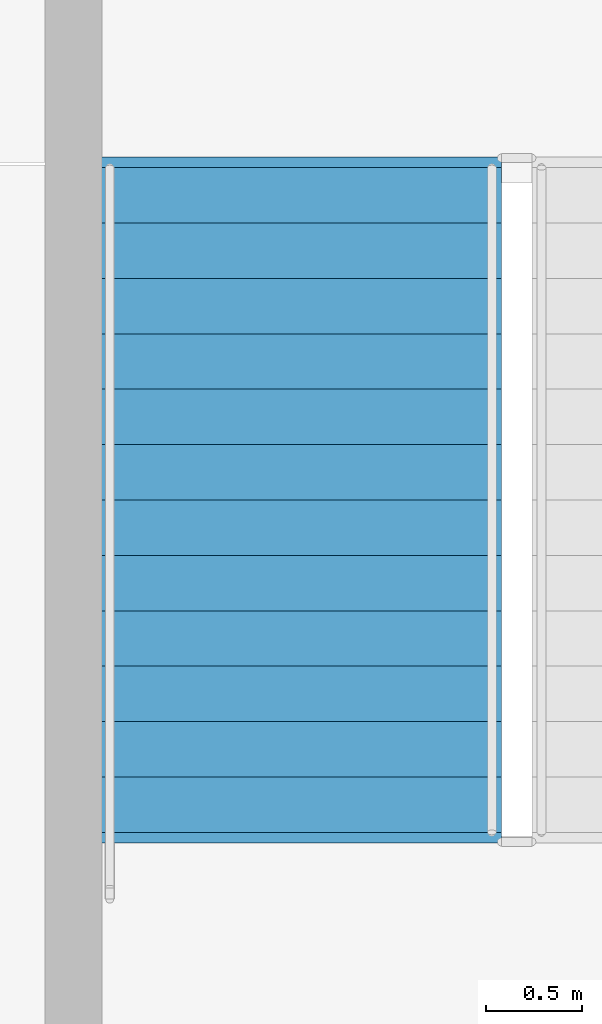
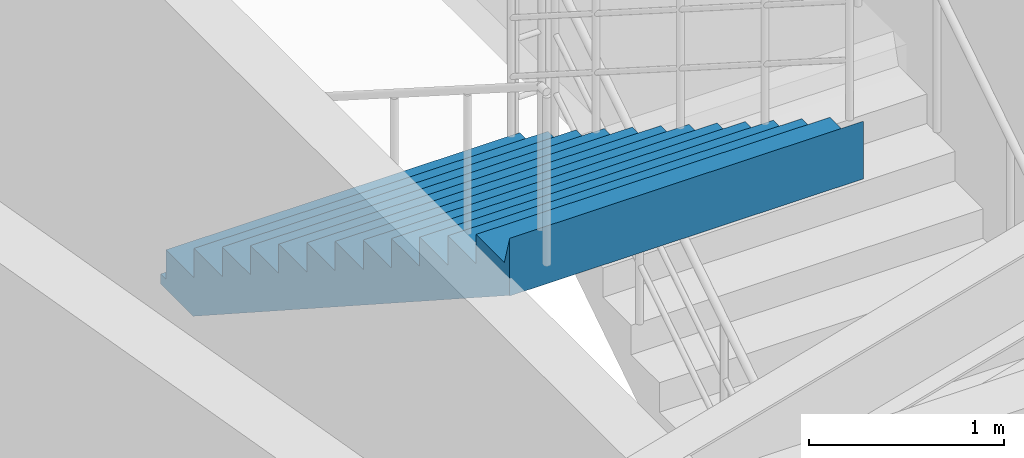
# One storey, part 118 of 144: 1 stair flight, 1 element without a shape of its own.
"""IFC4 building model written with IfcOpenShell, lengths in metres."""

import ifcopenshell
import ifcopenshell.guid

model = None  # the IFC model being written
_history = None  # IfcOwnerHistory: only IFC2X3 demands one
_inside = {}  # id of a spatial element -> (the spatial element, [elements in it])
_under = {}  # id of a project, library or spatial element -> (it, [spatial elements below it])
_declared = {}  # id of a project -> (the project, [libraries it declares])
_typed = {}  # id of a type object -> (the type object, [elements of that type])
_made_of = {}  # id of a material, layer set ... -> (it, [elements and type objects made of it])


def new_model(schema):
    """Start an empty IFC model of exactly this schema.

    Asked for "IFC4X3", IfcOpenShell would pick the latest addendum, in which some entities
    have other attributes; the version numbers below select the first issue.
    IFC2X3 requires an IfcOwnerHistory on every rooted entity: one is made here for all.
    """
    global model, _history
    if schema == "IFC4X3":
        model = ifcopenshell.file(schema_version=(4, 3, 0, 0))
    else:
        model = ifcopenshell.file(schema=schema)
    _inside.clear()
    _under.clear()
    _declared.clear()
    _typed.clear()
    _made_of.clear()
    _history = None
    if model.schema == "IFC2X3":
        org = make("IfcOrganization", Name="unknown")
        user = make(
            "IfcPersonAndOrganization",
            ThePerson=make("IfcPerson", FamilyName="unknown"),
            TheOrganization=org,
        )
        app = make(
            "IfcApplication",
            ApplicationDeveloper=org,
            Version="unknown",
            ApplicationFullName="unknown",
            ApplicationIdentifier="unknown",
        )
        _history = make(
            "IfcOwnerHistory",
            OwningUser=user,
            OwningApplication=app,
            ChangeAction="ADDED",
            CreationDate=0,
        )
    return model


def make(cls, **values):
    """One entity of the class cls with the attributes given. An attribute that is None is left unset."""
    return model.create_entity(
        cls, **{name: value for name, value in values.items() if value is not None}
    )


def rooted(cls, **values):
    """An entity with a GlobalId (a new one), such as an element, a storey or a relation."""
    return make(cls, GlobalId=ifcopenshell.guid.new(), OwnerHistory=_history, **values)


def si_unit(unit_type, name, prefix=None):
    """IfcSIUnit, for example si_unit("LENGTHUNIT", "METRE", prefix="MILLI")."""
    return make("IfcSIUnit", UnitType=unit_type, Prefix=prefix, Name=name)


def assignment(units):
    """IfcUnitAssignment: the units of a project."""
    return None if units is None else make("IfcUnitAssignment", Units=units)


def point(xyz):
    """IfcCartesianPoint."""
    return None if xyz is None else make("IfcCartesianPoint", Coordinates=xyz)


def direction(xyz):
    """IfcDirection."""
    return None if xyz is None else make("IfcDirection", DirectionRatios=xyz)


def frame(location, z_axis=None, x_axis=None):
    """IfcAxis2Placement3D, a coordinate frame: its origin and axes. An axis left out is left unset."""
    return make(
        "IfcAxis2Placement3D",
        Location=point(location),
        Axis=direction(z_axis),
        RefDirection=direction(x_axis),
    )


def origin():
    """The frame at (0, 0, 0) with its axes left unset."""
    return frame((0.0, 0.0, 0.0))


def place(relative_to, where):
    """IfcLocalPlacement: puts the frame where relative to a parent placement (None: the world)."""
    return make(
        "IfcLocalPlacement", PlacementRelTo=relative_to, RelativePlacement=where
    )


def context(
    kind, dimensions, precision=None, world=None, true_north=None, identifier=None
):
    """IfcGeometricRepresentationContext, for example the 3D "Model" context."""
    return make(
        "IfcGeometricRepresentationContext",
        ContextIdentifier=identifier,
        ContextType=kind,
        CoordinateSpaceDimension=dimensions,
        Precision=precision,
        WorldCoordinateSystem=world,
        TrueNorth=true_north,
    )


def subcontext(parent, identifier, kind, view, scale=None):
    """IfcGeometricRepresentationSubContext, for example "Body" below "Model"."""
    return make(
        "IfcGeometricRepresentationSubContext",
        ContextIdentifier=identifier,
        ContextType=kind,
        ParentContext=parent,
        TargetScale=scale,
        TargetView=view,
    )


def project(units=None, contexts=None):
    """IfcProject with its units and contexts."""
    return rooted(
        "IfcProject",
        Name="project",
        RepresentationContexts=contexts,
        UnitsInContext=assignment(units),
    )


def spatial(cls, under=None, at=None, **own):
    """A site, building, storey or space (cls), placed at a placement, below another one or the project."""
    s = rooted(cls, ObjectPlacement=at, **own)
    if under is not None:
        _under.setdefault(under.id(), (under, []))[1].append(s)
    return s


def polyline(points):
    """IfcPolyline through the points."""
    return make("IfcPolyline", Points=[point(p) for p in points])


def outline(outer, holes=None, kind="AREA"):
    """IfcArbitraryClosedProfileDef: a profile drawn as a closed curve; with holes, ...WithVoids."""
    if holes is None:
        return make("IfcArbitraryClosedProfileDef", ProfileType=kind, OuterCurve=outer)
    return make(
        "IfcArbitraryProfileDefWithVoids",
        ProfileType=kind,
        OuterCurve=outer,
        InnerCurves=holes,
    )


def extrude(swept, where, along, depth):
    """IfcExtrudedAreaSolid: the profile swept, set in the frame where, extruded along a direction by depth."""
    return make(
        "IfcExtrudedAreaSolid",
        SweptArea=swept,
        Position=where,
        ExtrudedDirection=direction(along),
        Depth=depth,
    )


def shape(context_of_items, identifier, shape_type, items):
    """IfcShapeRepresentation: the items that make up one representation, for example the "Body"."""
    return make(
        "IfcShapeRepresentation",
        ContextOfItems=context_of_items,
        RepresentationIdentifier=identifier,
        RepresentationType=shape_type,
        Items=items,
    )


def material(Name=None, Category=None):
    """IfcMaterial."""
    return make("IfcMaterial", Name=Name, Category=Category)


def made_of(thing, what):
    """Note that an element or type object is made of a material, layer set ...; save() writes the relation."""
    if what is not None:
        _made_of.setdefault(what.id(), (what, []))[1].append(thing)
    return thing


def type_object(cls, material=None, **own):
    """A type object (cls), such as IfcWallType, which elements share."""
    return made_of(rooted(cls, **own), material)


def element(
    cls,
    number,
    at=None,
    inside=None,
    cuts=None,
    type_object=None,
    material=None,
    context=None,
    identifier="Body",
    shape_type=None,
    held_by="IfcProductDefinitionShape",
    body=None,
    shapes=None,
    **own,
):
    """One element of the class cls, such as IfcWall. Its Tag is "e" and its number.

    at: its placement. inside: the storey or other place that contains it. cuts: it is an
    opening in that element (IfcRelVoidsElement). A single representation is given by context,
    identifier, shape_type and body (its items); several are given by shapes. held_by: the class
    of the entity that holds the representations. save() writes the other relations.
    """
    e = rooted(cls, Tag="e%d" % number, ObjectPlacement=at, **own)
    if body is not None:
        shapes = [shape(context, identifier, shape_type, body)]
    if shapes is not None:
        e.Representation = make(held_by, Representations=shapes)
    if inside is not None:
        _inside.setdefault(inside.id(), (inside, []))[1].append(e)
    if cuts is not None:
        rooted(
            "IfcRelVoidsElement", RelatingBuildingElement=cuts, RelatedOpeningElement=e
        )
    if type_object is not None:
        _typed.setdefault(type_object.id(), (type_object, []))[1].append(e)
    return made_of(e, material)


def aggregate(whole, parts):
    """IfcRelAggregates: a whole, such as a stair, and the parts it consists of."""
    return rooted("IfcRelAggregates", RelatingObject=whole, RelatedObjects=parts)


def save(model, path):
    """Write the relations noted so far, then the file.

    IfcRelAggregates (storeys below a building ...), IfcRelContainedInSpatialStructure (elements
    in a storey), IfcRelDefinesByType, IfcRelAssociatesMaterial and IfcRelDeclares: one each for
    every whole, place, type object, material and project.
    """
    for whole, parts in _under.values():
        aggregate(whole, parts)
    for where, things in _inside.values():
        rooted(
            "IfcRelContainedInSpatialStructure",
            RelatedElements=things,
            RelatingStructure=where,
        )
    for kind, things in _typed.values():
        rooted("IfcRelDefinesByType", RelatedObjects=things, RelatingType=kind)
    for what, things in _made_of.values():
        rooted("IfcRelAssociatesMaterial", RelatedObjects=things, RelatingMaterial=what)
    for by, libraries in _declared.values():
        rooted("IfcRelDeclares", RelatingContext=by, RelatedDefinitions=libraries)
    model.write(path)


model = new_model("IFC4")

# Units and contexts
model_context = context("Model", 3, precision=1e-05, world=origin(), true_north=direction((0.0, 1.0)))
body_context = subcontext(model_context, "Body", "Model", "MODEL_VIEW")
ifc_project = project(units=[si_unit("LENGTHUNIT", "METRE"), si_unit("AREAUNIT", "SQUARE_METRE"), si_unit("VOLUMEUNIT", "CUBIC_METRE"), si_unit("PLANEANGLEUNIT", "RADIAN"), si_unit("MASSUNIT", "GRAM", prefix="KILO")], contexts=[model_context])

# Site, building, storey
site_placement = place(None, origin())
site = spatial("IfcSite", under=ifc_project, at=site_placement, CompositionType="ELEMENT")
building_placement = place(site_placement, origin())
building = spatial("IfcBuilding", under=site, at=building_placement, Name="Cinderbank Siding Concert Hall", CompositionType="ELEMENT")
storey_placement = place(building_placement, frame((0.0, 0.0, 5.39990234375)))
storey = spatial("IfcBuildingStorey", under=building, at=storey_placement, Name="L02", CompositionType="ELEMENT", Elevation=5.39990234375)

# Stair, stair flight
ifc_material = material(Name="Reinforced concrete AS 3600 N50 (50 MPa)", Category="concrete")
stair_type = type_object("IfcStairType", Name="STR-D Dogleg Exit Stair 2100mm", PredefinedType="HALF_TURN_STAIR", material=ifc_material)
stair_placement = place(storey_placement, origin())
stair = element("IfcStair", 1, at=stair_placement, inside=storey, type_object=stair_type, Name="L02 West Drum Exit Stair ST-04", PredefinedType="HALF_TURN_STAIR")
stair_flight_type = type_object("IfcStairFlightType", Name="SFL-D Concrete Stair Flight 2100mm", PredefinedType="STRAIGHT", material=ifc_material)
stair_flight_placement = place(storey_placement, frame((98.590087890625, 43.97998046875, 2.400146484375), z_axis=(0.0, 0.0, 1.0), x_axis=(0.0, -1.0, 0.0)))
stair_flight = element("IfcStairFlight", 2, at=stair_flight_placement, type_object=stair_flight_type, Name="ST-04 flight 2", NumberOfRisers=13, NumberOfTreads=12, PredefinedType="STRAIGHT", RiserHeight=0.184615385, TreadLength=0.29, context=body_context, shape_type="SweptSolid", body=[
    extrude(outline(polyline([(0.0, 0.0), (0.0, 0.1845703125), (0.2900390625, 0.1845703125), (0.2900390625, 0.369140625), (0.580078125, 0.369140625), (0.580078125, 0.553955078125), (0.8701171875, 0.553955078125), (0.8701171875, 0.738525390625), (1.159912109375, 0.738525390625), (1.159912109375, 0.923095703125), (1.449951171875, 0.923095703125), (1.449951171875, 1.107666015625), (1.739990234375, 1.107666015625), (1.739990234375, 1.292236328125), (2.030029296875, 1.292236328125), (2.030029296875, 1.476806640625), (2.320068359375, 1.476806640625), (2.320068359375, 1.66162109375), (2.610107421875, 1.66162109375), (2.610107421875, 1.84619140625), (2.89990234375, 1.84619140625), (2.89990234375, 2.03076171875), (3.18994140625, 2.03076171875), (3.18994140625, 2.21533203125), (3.47998046875, 2.21533203125), (3.534912109375, 2.39990234375), (3.534912109375, 2.03759765625), (3.53466796875, 2.037841796875), (3.53466796875, 2.0380859375), (3.53466796875, 2.038330078125), (3.53466796875, 2.03857421875), (3.53466796875, 2.038818359375), (3.53466796875, 2.0390625), (3.53466796875, 2.039306640625), (3.53466796875, 2.03955078125), (3.53466796875, 2.039794921875), (3.53466796875, 2.0400390625), (3.53466796875, 2.040283203125), (3.53466796875, 2.04052734375), (3.534423828125, 2.04052734375), (3.534423828125, 2.040283203125), (3.534423828125, 2.0400390625), (3.534423828125, 2.039794921875), (3.534423828125, 2.03955078125), (3.534423828125, 2.039306640625), (3.534423828125, 2.0390625), (3.534423828125, 2.038818359375), (3.534423828125, 2.03857421875), (3.534423828125, 2.038330078125), (3.534423828125, 2.0380859375), (3.534423828125, 2.037841796875), (3.534423828125, 2.03759765625), (3.5341796875, 2.037841796875), (3.5341796875, 2.0380859375), (3.5341796875, 2.038330078125), (3.5341796875, 2.03857421875), (3.5341796875, 2.038818359375), (3.5341796875, 2.0390625), (3.5341796875, 2.039306640625), (3.5341796875, 2.03955078125), (3.5341796875, 2.039794921875), (3.5341796875, 2.0400390625), (3.5341796875, 2.040283203125), (3.5341796875, 2.04052734375), (3.533935546875, 2.04052734375), (3.533935546875, 2.040283203125), (3.533935546875, 2.0400390625), (3.533935546875, 2.039794921875), (3.533935546875, 2.03955078125), (3.533935546875, 2.039306640625), (3.533935546875, 2.0390625), (3.533935546875, 2.038818359375), (3.533935546875, 2.03857421875), (3.533935546875, 2.038330078125), (3.533935546875, 2.0380859375), (3.533935546875, 2.037841796875), (3.533935546875, 2.03759765625), (3.53369140625, 2.037841796875), (3.53369140625, 2.0380859375), (3.53369140625, 2.038330078125), (3.53369140625, 2.03857421875), (3.53369140625, 2.038818359375), (3.53369140625, 2.0390625), (3.53369140625, 2.039306640625), (3.53369140625, 2.03955078125), (3.53369140625, 2.039794921875), (3.53369140625, 2.0400390625), (3.53369140625, 2.040283203125), (3.53369140625, 2.04052734375), (3.533447265625, 2.04052734375), (3.533447265625, 2.040283203125), (3.533447265625, 2.0400390625), (3.533447265625, 2.039794921875), (3.533447265625, 2.03955078125), (3.533447265625, 2.039306640625), (3.533447265625, 2.0390625), (3.533447265625, 2.038818359375), (3.533447265625, 2.03857421875), (3.533447265625, 2.038330078125), (3.533447265625, 2.0380859375), (3.533447265625, 2.037841796875), (3.533447265625, 2.03759765625), (3.533203125, 2.037841796875), (3.533203125, 2.0380859375), (3.533203125, 2.038330078125), (3.533203125, 2.03857421875), (3.533203125, 2.038818359375), (3.533203125, 2.0390625), (3.533203125, 2.039306640625), (3.533203125, 2.03955078125), (3.533203125, 2.039794921875), (3.533203125, 2.0400390625), (3.533203125, 2.040283203125), (3.533203125, 2.04052734375), (3.532958984375, 2.04052734375), (3.532958984375, 2.040283203125), (3.532958984375, 2.0400390625), (3.532958984375, 2.039794921875), (3.532958984375, 2.03955078125), (3.532958984375, 2.039306640625), (3.532958984375, 2.0390625), (3.532958984375, 2.038818359375), (3.532958984375, 2.03857421875), (3.532958984375, 2.038330078125), (3.532958984375, 2.0380859375), (3.532958984375, 2.037841796875), (3.532958984375, 2.03759765625), (3.53271484375, 2.037841796875), (3.53271484375, 2.0380859375), (3.53271484375, 2.038330078125), (3.53271484375, 2.03857421875), (3.53271484375, 2.038818359375), (3.53271484375, 2.0390625), (3.53271484375, 2.039306640625), (3.53271484375, 2.03955078125), (3.53271484375, 2.039794921875), (3.53271484375, 2.0400390625), (3.53271484375, 2.040283203125), (3.53271484375, 2.04052734375), (3.532470703125, 2.04052734375), (3.532470703125, 2.040283203125), (3.532470703125, 2.0400390625), (3.532470703125, 2.039794921875), (3.532470703125, 2.03955078125), (3.532470703125, 2.039306640625), (3.532470703125, 2.0390625), (3.532470703125, 2.038818359375), (3.532470703125, 2.03857421875), (3.532470703125, 2.038330078125), (3.532470703125, 2.0380859375), (3.532470703125, 2.037841796875), (3.532470703125, 2.03759765625), (3.5322265625, 2.037841796875), (3.5322265625, 2.0380859375), (3.5322265625, 2.038330078125), (3.5322265625, 2.03857421875), (3.5322265625, 2.038818359375), (3.5322265625, 2.0390625), (3.5322265625, 2.039306640625), (3.5322265625, 2.03955078125), (3.5322265625, 2.039794921875), (3.5322265625, 2.0400390625), (3.5322265625, 2.040283203125), (3.5322265625, 2.04052734375), (3.531982421875, 2.04052734375), (3.531982421875, 2.040283203125), (3.531982421875, 2.0400390625), (3.531982421875, 2.039794921875), (3.531982421875, 2.03955078125), (3.531982421875, 2.039306640625), (3.531982421875, 2.0390625), (3.531982421875, 2.038818359375), (3.531982421875, 2.03857421875), (3.531982421875, 2.038330078125), (3.531982421875, 2.0380859375), (3.531982421875, 2.037841796875), (3.531982421875, 2.03759765625), (3.53173828125, 2.037841796875), (3.53173828125, 2.0380859375), (3.53173828125, 2.038330078125), (3.53173828125, 2.03857421875), (3.53173828125, 2.038818359375), (3.53173828125, 2.0390625), (3.53173828125, 2.039306640625), (3.53173828125, 2.03955078125), (3.53173828125, 2.039794921875), (3.53173828125, 2.0400390625), (3.53173828125, 2.040283203125), (3.53173828125, 2.04052734375), (3.531494140625, 2.04052734375), (3.531494140625, 2.040283203125), (3.531494140625, 2.0400390625), (3.531494140625, 2.039794921875), (3.531494140625, 2.03955078125), (3.531494140625, 2.039306640625), (3.531494140625, 2.0390625), (3.531494140625, 2.038818359375), (3.531494140625, 2.03857421875), (3.531494140625, 2.038330078125), (3.531494140625, 2.0380859375), (3.531494140625, 2.037841796875), (3.531494140625, 2.03759765625), (3.53125, 2.037841796875), (3.53125, 2.0380859375), (3.53125, 2.038330078125), (3.53125, 2.03857421875), (3.53125, 2.038818359375), (3.53125, 2.0390625), (3.53125, 2.039306640625), (3.53125, 2.03955078125), (3.53125, 2.039794921875), (3.53125, 2.0400390625), (3.53125, 2.040283203125), (3.53125, 2.04052734375), (3.531005859375, 2.04052734375), (3.531005859375, 2.040283203125), (3.531005859375, 2.0400390625), (3.531005859375, 2.039794921875), (3.531005859375, 2.03955078125), (3.531005859375, 2.039306640625), (3.531005859375, 2.0390625), (3.531005859375, 2.038818359375), (3.531005859375, 2.03857421875), (3.531005859375, 2.038330078125), (3.531005859375, 2.0380859375), (3.531005859375, 2.037841796875), (3.531005859375, 2.03759765625), (3.53076171875, 2.037841796875), (3.53076171875, 2.0380859375), (3.53076171875, 2.038330078125), (3.53076171875, 2.03857421875), (3.53076171875, 2.038818359375), (3.53076171875, 2.0390625), (3.53076171875, 2.039306640625), (3.53076171875, 2.03955078125), (3.53076171875, 2.039794921875), (3.53076171875, 2.0400390625), (3.53076171875, 2.040283203125), (3.53076171875, 2.04052734375), (3.530517578125, 2.04052734375), (3.530517578125, 2.040283203125), (3.530517578125, 2.0400390625), (3.530517578125, 2.039794921875), (3.530517578125, 2.03955078125), (3.530517578125, 2.039306640625), (3.530517578125, 2.0390625), (3.530517578125, 2.038818359375), (3.530517578125, 2.03857421875), (3.530517578125, 2.038330078125), (3.530517578125, 2.0380859375), (3.530517578125, 2.037841796875), (3.530517578125, 2.03759765625), (3.5302734375, 2.037841796875), (3.5302734375, 2.0380859375), (3.5302734375, 2.038330078125), (3.5302734375, 2.03857421875), (3.5302734375, 2.038818359375), (3.5302734375, 2.0390625), (3.5302734375, 2.039306640625), (3.5302734375, 2.03955078125), (3.5302734375, 2.039794921875), (3.5302734375, 2.0400390625), (3.5302734375, 2.040283203125), (3.5302734375, 2.04052734375), (3.530029296875, 2.04052734375), (3.530029296875, 2.040283203125), (3.530029296875, 2.0400390625), (3.530029296875, 2.039794921875), (3.530029296875, 2.03955078125), (3.530029296875, 2.039306640625), (3.530029296875, 2.0390625), (3.530029296875, 2.038818359375), (3.530029296875, 2.03857421875), (3.530029296875, 2.038330078125), (3.530029296875, 2.0380859375), (3.530029296875, 2.037841796875), (3.530029296875, 2.03759765625), (3.52978515625, 2.037841796875), (3.52978515625, 2.0380859375), (3.52978515625, 2.038330078125), (3.52978515625, 2.03857421875), (3.52978515625, 2.038818359375), (3.52978515625, 2.0390625), (3.52978515625, 2.039306640625), (3.52978515625, 2.03955078125), (3.52978515625, 2.039794921875), (3.52978515625, 2.0400390625), (3.52978515625, 2.040283203125), (3.52978515625, 2.04052734375), (3.529541015625, 2.04052734375), (3.529541015625, 2.040283203125), (3.529541015625, 2.0400390625), (3.529541015625, 2.039794921875), (3.529541015625, 2.03955078125), (3.529541015625, 2.039306640625), (3.529541015625, 2.0390625), (3.529541015625, 2.038818359375), (3.529541015625, 2.03857421875), (3.529541015625, 2.038330078125), (3.529541015625, 2.0380859375), (3.529541015625, 2.037841796875), (3.529541015625, 2.03759765625), (3.529296875, 2.037841796875), (3.529296875, 2.0380859375), (3.529296875, 2.038330078125), (3.529296875, 2.03857421875), (3.529296875, 2.038818359375), (3.529296875, 2.0390625), (3.529296875, 2.039306640625), (3.529296875, 2.03955078125), (3.529296875, 2.039794921875), (3.529296875, 2.0400390625), (3.529296875, 2.040283203125), (3.529296875, 2.04052734375), (3.529052734375, 2.04052734375), (3.529052734375, 2.040283203125), (3.529052734375, 2.0400390625), (3.529052734375, 2.039794921875), (3.529052734375, 2.03955078125), (3.529052734375, 2.039306640625), (3.529052734375, 2.0390625), (3.529052734375, 2.038818359375), (3.529052734375, 2.03857421875), (3.529052734375, 2.038330078125), (3.529052734375, 2.0380859375), (3.529052734375, 2.037841796875), (3.529052734375, 2.03759765625), (3.52880859375, 2.037841796875), (3.52880859375, 2.0380859375), (3.52880859375, 2.038330078125), (3.52880859375, 2.03857421875), (3.52880859375, 2.038818359375), (3.52880859375, 2.0390625), (3.52880859375, 2.039306640625), (3.52880859375, 2.03955078125), (3.52880859375, 2.039794921875), (3.52880859375, 2.0400390625), (3.52880859375, 2.040283203125), (3.52880859375, 2.04052734375), (3.528564453125, 2.04052734375), (3.528564453125, 2.040283203125), (3.528564453125, 2.0400390625), (3.528564453125, 2.039794921875), (3.528564453125, 2.03955078125), (3.528564453125, 2.039306640625), (3.528564453125, 2.0390625), (3.528564453125, 2.038818359375), (3.528564453125, 2.03857421875), (3.528564453125, 2.038330078125), (3.528564453125, 2.0380859375), (3.528564453125, 2.037841796875), (3.528564453125, 2.03759765625), (0.279052734375, -0.06396484375), (-0.048583984375, -0.063720703125), (-0.048583984375, -0.0634765625), (-0.048583984375, -0.063232421875), (-0.048583984375, -0.06298828125), (-0.048583984375, -0.062744140625), (-0.048583984375, -0.0625), (-0.048583984375, -0.062255859375), (-0.048583984375, -0.06201171875), (-0.048583984375, -0.061767578125), (-0.048583984375, -0.0615234375), (-0.048583984375, -0.061279296875), (-0.048583984375, -0.06103515625), (-0.048828125, -0.06103515625), (-0.048828125, -0.061279296875), (-0.048828125, -0.0615234375), (-0.048828125, -0.061767578125), (-0.048828125, -0.06201171875), (-0.048828125, -0.062255859375), (-0.048828125, -0.0625), (-0.048828125, -0.062744140625), (-0.048828125, -0.06298828125), (-0.048828125, -0.063232421875), (-0.048828125, -0.0634765625), (-0.048828125, -0.063720703125), (-0.048828125, -0.06396484375), (-0.049072265625, -0.063720703125), (-0.049072265625, -0.0634765625), (-0.049072265625, -0.063232421875), (-0.049072265625, -0.06298828125), (-0.049072265625, -0.062744140625), (-0.049072265625, -0.0625), (-0.049072265625, -0.062255859375), (-0.049072265625, -0.06201171875), (-0.049072265625, -0.061767578125), (-0.049072265625, -0.0615234375), (-0.049072265625, -0.061279296875), (-0.049072265625, -0.06103515625), (-0.04931640625, -0.06103515625), (-0.04931640625, -0.061279296875), (-0.04931640625, -0.0615234375), (-0.04931640625, -0.061767578125), (-0.04931640625, -0.06201171875), (-0.04931640625, -0.062255859375), (-0.04931640625, -0.0625), (-0.04931640625, -0.062744140625), (-0.04931640625, -0.06298828125), (-0.04931640625, -0.063232421875), (-0.04931640625, -0.0634765625), (-0.04931640625, -0.063720703125), (-0.04931640625, -0.06396484375), (-0.049560546875, -0.063720703125), (-0.049560546875, -0.0634765625), (-0.049560546875, -0.063232421875), (-0.049560546875, -0.06298828125), (-0.049560546875, -0.062744140625), (-0.049560546875, -0.0625), (-0.049560546875, -0.062255859375), (-0.049560546875, -0.06201171875), (-0.049560546875, -0.061767578125), (-0.049560546875, -0.0615234375), (-0.049560546875, -0.061279296875), (-0.049560546875, -0.06103515625), (-0.0498046875, -0.06103515625), (-0.0498046875, -0.061279296875), (-0.0498046875, -0.0615234375), (-0.0498046875, -0.061767578125), (-0.0498046875, -0.06201171875), (-0.0498046875, -0.062255859375), (-0.0498046875, -0.0625), (-0.0498046875, -0.062744140625), (-0.0498046875, -0.06298828125), (-0.0498046875, -0.063232421875), (-0.0498046875, -0.0634765625), (-0.0498046875, -0.063720703125), (-0.0498046875, -0.06396484375), (-0.050048828125, -0.063720703125), (-0.050048828125, -0.0634765625), (-0.050048828125, -0.063232421875), (-0.050048828125, -0.06298828125), (-0.050048828125, -0.062744140625), (-0.050048828125, -0.0625), (-0.050048828125, -0.062255859375), (-0.050048828125, -0.06201171875), (-0.050048828125, -0.061767578125), (-0.050048828125, -0.0615234375), (-0.050048828125, -0.061279296875), (-0.050048828125, -0.06103515625), (-0.05029296875, -0.06103515625), (-0.05029296875, -0.061279296875), (-0.05029296875, -0.0615234375), (-0.05029296875, -0.061767578125), (-0.05029296875, -0.06201171875), (-0.05029296875, -0.062255859375), (-0.05029296875, -0.0625), (-0.05029296875, -0.062744140625), (-0.05029296875, -0.06298828125), (-0.05029296875, -0.063232421875), (-0.05029296875, -0.0634765625), (-0.05029296875, -0.063720703125), (-0.05029296875, -0.06396484375), (-0.050537109375, -0.063720703125), (-0.050537109375, -0.0634765625), (-0.050537109375, -0.063232421875), (-0.050537109375, -0.06298828125), (-0.050537109375, -0.062744140625), (-0.050537109375, -0.0625), (-0.050537109375, -0.062255859375), (-0.050537109375, -0.06201171875), (-0.050537109375, -0.061767578125), (-0.050537109375, -0.0615234375), (-0.050537109375, -0.061279296875), (-0.050537109375, -0.06103515625), (-0.05078125, -0.06103515625), (-0.05078125, -0.061279296875), (-0.05078125, -0.0615234375), (-0.05078125, -0.061767578125), (-0.05078125, -0.06201171875), (-0.05078125, -0.062255859375), (-0.05078125, -0.0625), (-0.05078125, -0.062744140625), (-0.05078125, -0.06298828125), (-0.05078125, -0.063232421875), (-0.05078125, -0.0634765625), (-0.05078125, -0.063720703125), (-0.05078125, -0.06396484375), (-0.051025390625, -0.063720703125), (-0.051025390625, -0.0634765625), (-0.051025390625, -0.063232421875), (-0.051025390625, -0.06298828125), (-0.051025390625, -0.062744140625), (-0.051025390625, -0.0625), (-0.051025390625, -0.062255859375), (-0.051025390625, -0.06201171875), (-0.051025390625, -0.061767578125), (-0.051025390625, -0.0615234375), (-0.051025390625, -0.061279296875), (-0.051025390625, -0.06103515625), (-0.05126953125, -0.06103515625), (-0.05126953125, -0.061279296875), (-0.05126953125, -0.0615234375), (-0.05126953125, -0.061767578125), (-0.05126953125, -0.06201171875), (-0.05126953125, -0.062255859375), (-0.05126953125, -0.0625), (-0.05126953125, -0.062744140625), (-0.05126953125, -0.06298828125), (-0.05126953125, -0.063232421875), (-0.05126953125, -0.0634765625), (-0.05126953125, -0.063720703125), (-0.05126953125, -0.06396484375), (-0.051513671875, -0.063720703125), (-0.051513671875, -0.0634765625), (-0.051513671875, -0.063232421875), (-0.051513671875, -0.06298828125), (-0.051513671875, -0.062744140625), (-0.051513671875, -0.0625), (-0.051513671875, -0.062255859375), (-0.051513671875, -0.06201171875), (-0.051513671875, -0.061767578125), (-0.051513671875, -0.0615234375), (-0.051513671875, -0.061279296875), (-0.051513671875, -0.06103515625), (-0.0517578125, -0.06103515625), (-0.0517578125, -0.061279296875), (-0.0517578125, -0.0615234375), (-0.0517578125, -0.061767578125), (-0.0517578125, -0.06201171875), (-0.0517578125, -0.062255859375), (-0.0517578125, -0.0625), (-0.0517578125, -0.062744140625), (-0.0517578125, -0.06298828125), (-0.0517578125, -0.063232421875), (-0.0517578125, -0.0634765625), (-0.0517578125, -0.063720703125), (-0.0517578125, -0.06396484375), (-0.052001953125, -0.063720703125), (-0.052001953125, -0.0634765625), (-0.052001953125, -0.063232421875), (-0.052001953125, -0.06298828125), (-0.052001953125, -0.062744140625), (-0.052001953125, -0.0625), (-0.052001953125, -0.062255859375), (-0.052001953125, -0.06201171875), (-0.052001953125, -0.061767578125), (-0.052001953125, -0.0615234375), (-0.052001953125, -0.061279296875), (-0.052001953125, -0.06103515625), (-0.05224609375, -0.06103515625), (-0.05224609375, -0.061279296875), (-0.05224609375, -0.0615234375), (-0.05224609375, -0.061767578125), (-0.05224609375, -0.06201171875), (-0.05224609375, -0.062255859375), (-0.05224609375, -0.0625), (-0.05224609375, -0.062744140625), (-0.05224609375, -0.06298828125), (-0.05224609375, -0.063232421875), (-0.05224609375, -0.0634765625), (-0.05224609375, -0.063720703125), (-0.05224609375, -0.06396484375), (-0.052490234375, -0.063720703125), (-0.052490234375, -0.0634765625), (-0.052490234375, -0.063232421875), (-0.052490234375, -0.06298828125), (-0.052490234375, -0.062744140625), (-0.052490234375, -0.0625), (-0.052490234375, -0.062255859375), (-0.052490234375, -0.06201171875), (-0.052490234375, -0.061767578125), (-0.052490234375, -0.0615234375), (-0.052490234375, -0.061279296875), (-0.052490234375, -0.06103515625), (-0.052734375, -0.06103515625), (-0.052734375, -0.061279296875), (-0.052734375, -0.0615234375), (-0.052734375, -0.061767578125), (-0.052734375, -0.06201171875), (-0.052734375, -0.062255859375), (-0.052734375, -0.0625), (-0.052734375, -0.062744140625), (-0.052734375, -0.06298828125), (-0.052734375, -0.063232421875), (-0.052734375, -0.0634765625), (-0.052734375, -0.063720703125), (-0.052734375, -0.06396484375), (-0.052978515625, -0.063720703125), (-0.052978515625, -0.0634765625), (-0.052978515625, -0.063232421875), (-0.052978515625, -0.06298828125), (-0.052978515625, -0.062744140625), (-0.052978515625, -0.0625), (-0.052978515625, -0.062255859375), (-0.052978515625, -0.06201171875), (-0.052978515625, -0.061767578125), (-0.052978515625, -0.0615234375), (-0.052978515625, -0.061279296875), (-0.052978515625, -0.06103515625), (-0.05322265625, -0.06103515625), (-0.05322265625, -0.061279296875), (-0.05322265625, -0.0615234375), (-0.05322265625, -0.061767578125), (-0.05322265625, -0.06201171875), (-0.05322265625, -0.062255859375), (-0.05322265625, -0.0625), (-0.05322265625, -0.062744140625), (-0.05322265625, -0.06298828125), (-0.05322265625, -0.063232421875), (-0.05322265625, -0.0634765625), (-0.05322265625, -0.063720703125), (-0.05322265625, -0.06396484375), (-0.053466796875, -0.063720703125), (-0.053466796875, -0.0634765625), (-0.053466796875, -0.063232421875), (-0.053466796875, -0.06298828125), (-0.053466796875, -0.062744140625), (-0.053466796875, -0.0625), (-0.053466796875, -0.062255859375), (-0.053466796875, -0.06201171875), (-0.053466796875, -0.061767578125), (-0.053466796875, -0.0615234375), (-0.053466796875, -0.061279296875), (-0.053466796875, -0.06103515625), (-0.0537109375, -0.06103515625), (-0.0537109375, -0.061279296875), (-0.0537109375, -0.0615234375), (-0.0537109375, -0.061767578125), (-0.0537109375, -0.06201171875), (-0.0537109375, -0.062255859375), (-0.0537109375, -0.0625), (-0.0537109375, -0.062744140625), (-0.0537109375, -0.06298828125), (-0.0537109375, -0.063232421875), (-0.0537109375, -0.0634765625), (-0.0537109375, -0.063720703125), (-0.0537109375, -0.06396484375), (-0.053955078125, -0.063720703125), (-0.053955078125, -0.0634765625), (-0.053955078125, -0.063232421875), (-0.053955078125, -0.06298828125), (-0.053955078125, -0.062744140625), (-0.053955078125, -0.0625), (-0.053955078125, -0.062255859375), (-0.053955078125, -0.06201171875), (-0.053955078125, -0.061767578125), (-0.053955078125, -0.0615234375), (-0.053955078125, -0.061279296875), (-0.053955078125, -0.06103515625), (-0.05419921875, -0.06103515625), (-0.05419921875, -0.061279296875), (-0.05419921875, -0.0615234375), (-0.05419921875, -0.061767578125), (-0.05419921875, -0.06201171875), (-0.05419921875, -0.062255859375), (-0.05419921875, -0.0625), (-0.05419921875, -0.062744140625), (-0.05419921875, -0.06298828125), (-0.05419921875, -0.063232421875), (-0.05419921875, -0.0634765625), (-0.05419921875, -0.063720703125), (-0.05419921875, -0.06396484375), (-0.054443359375, -0.063720703125), (-0.054443359375, -0.0634765625), (-0.054443359375, -0.063232421875), (-0.054443359375, -0.06298828125), (-0.054443359375, -0.062744140625), (-0.054443359375, -0.0625), (-0.054443359375, -0.062255859375), (-0.054443359375, -0.06201171875), (-0.054443359375, -0.061767578125), (-0.054443359375, -0.0615234375), (-0.054443359375, -0.061279296875), (-0.054443359375, -0.06103515625), (-0.0546875, -0.06103515625), (-0.0546875, -0.061279296875), (-0.0546875, -0.0615234375), (-0.0546875, -0.061767578125), (-0.0546875, -0.06201171875), (-0.0546875, -0.062255859375), (-0.0546875, -0.0625), (-0.0546875, -0.062744140625), (-0.0546875, -0.06298828125), (-0.0546875, -0.063232421875), (-0.0546875, -0.0634765625), (-0.0546875, -0.063720703125), (-0.0546875, -0.06396484375), (-0.054931640625, -0.06396484375), (-0.054931640625, 0.0), (0.0, 0.0)])), frame((0.0, 1.050048828125, 0.0), z_axis=(0.0, -1.0, 0.0), x_axis=(1.0, 0.0, 0.0)), (0.0, 0.0, 1.0), 2.10009765625),
])
aggregate(stair, [stair_flight])

save(model, "model.ifc")
